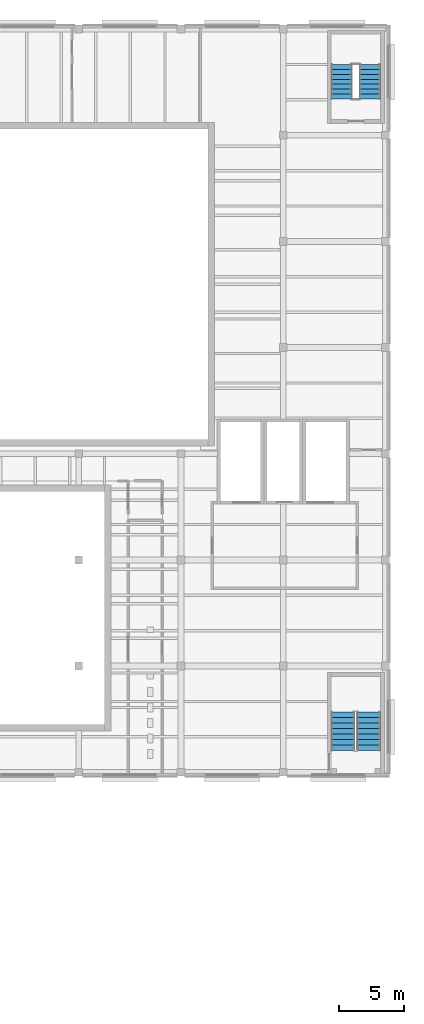
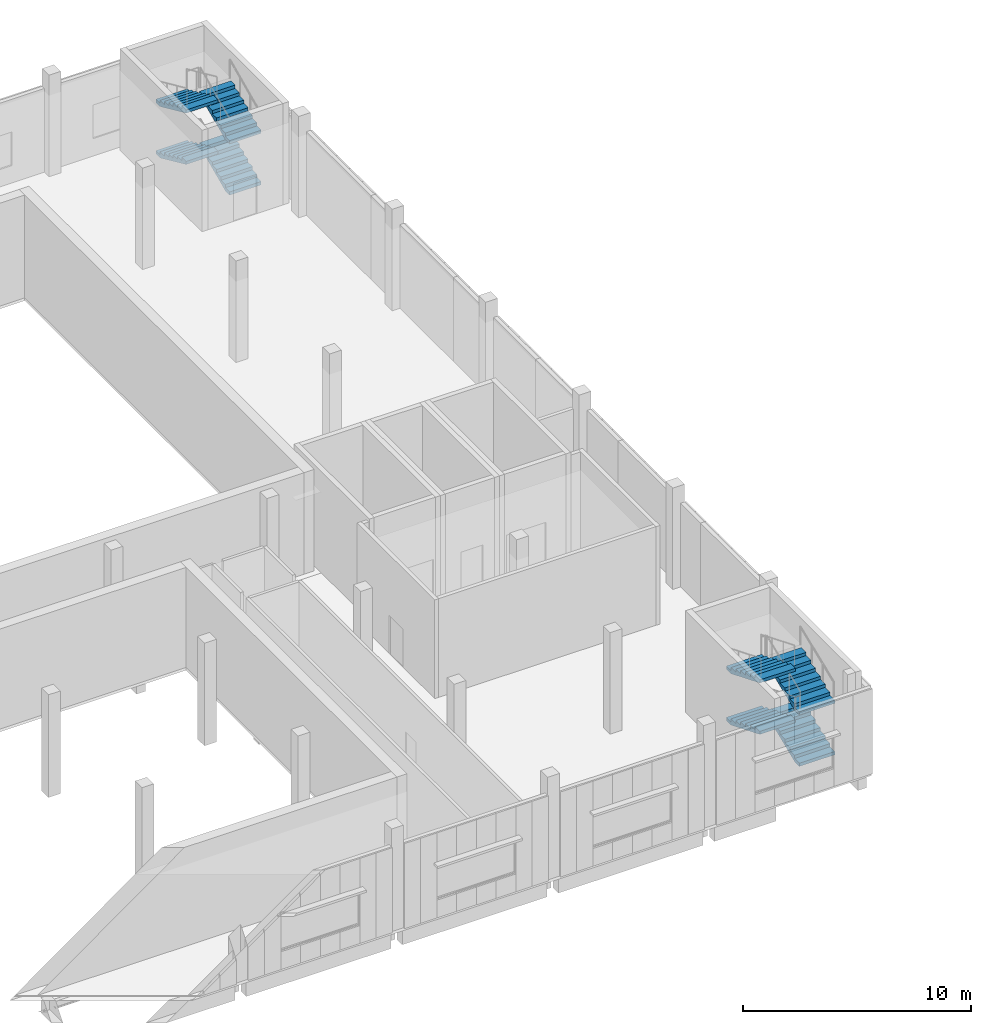
# One storey, part 68 of 112: 8 stair flights, 2 elements without a shape of their own.
"""IFC4 building model written with IfcOpenShell, lengths in metres."""

from ifc_helpers import new_model, si_unit, direction, frame, origin, place, context, subcontext, project, spatial, polyline, outline, extrude, material, type_object, element, aggregate, save


model = new_model("IFC4")

# Units and contexts
model_context = context("Model", 3, precision=1e-05, world=origin(), true_north=direction((0.0, 1.0)))
body_context = subcontext(model_context, "Body", "Model", "MODEL_VIEW")
ifc_project = project(units=[si_unit("LENGTHUNIT", "METRE"), si_unit("AREAUNIT", "SQUARE_METRE"), si_unit("VOLUMEUNIT", "CUBIC_METRE"), si_unit("PLANEANGLEUNIT", "RADIAN"), si_unit("MASSUNIT", "GRAM", prefix="KILO")], contexts=[model_context])

# Site, building, storey
site_placement = place(None, origin())
site = spatial("IfcSite", under=ifc_project, at=site_placement, CompositionType="ELEMENT")
building_placement = place(site_placement, origin())
building = spatial("IfcBuilding", under=site, at=building_placement, Name="Lunette Opera House", CompositionType="ELEMENT")
storey_placement = place(building_placement, frame((0.0, 0.0, 6.0)))
storey = spatial("IfcBuildingStorey", under=building, at=storey_placement, Name="L01", CompositionType="ELEMENT", Elevation=6.0)

# Stair, stair flights
ifc_material_1 = material(Name="Concrete C35/45", Category="concrete")
stair_type_1 = type_object("IfcStairType", Name="DOGLEG STAIR 1600", PredefinedType="HALF_TURN_STAIR", material=ifc_material_1)
stair_1_placement = place(storey_placement, origin())
stair_1 = element("IfcStair", 1, at=stair_1_placement, inside=storey, type_object=stair_type_1, Name="L01 stair ST19", PredefinedType="HALF_TURN_STAIR")
ifc_material_2 = material(Name="Concrete C35/45", Category="concrete")
stair_flight_type_1 = type_object("IfcStairFlightType", Name="STRAIGHT STAIR FLIGHT 1600", PredefinedType="STRAIGHT", material=ifc_material_2)
stair_flight_1_placement = place(storey_placement, frame((182.5, 130.300048828125, 0.0), z_axis=(0.0, 0.0, 1.0), x_axis=(0.0, 1.0, 0.0)))
stair_flight_1 = element("IfcStairFlight", 2, at=stair_flight_1_placement, type_object=stair_flight_type_1, Name="ST19 flight 1", NumberOfRisers=8, NumberOfTreads=7, PredefinedType="STRAIGHT", RiserHeight=0.171875, TreadLength=0.38, context=body_context, shape_type="SweptSolid", body=[
    extrude(outline(polyline([(0.0, 0.0), (0.0, 0.171875), (0.3798828125, 0.171875), (0.3798828125, 0.34375), (0.760009765625, 0.34375), (0.760009765625, 0.515625), (1.139892578125, 0.515625), (1.139892578125, 0.6875), (1.52001953125, 0.6875), (1.52001953125, 0.859375), (1.89990234375, 0.859375), (1.89990234375, 1.03125), (2.280029296875, 1.03125), (2.280029296875, 1.203125), (2.659912109375, 1.203125), (2.659912109375, 1.375), (2.659912109375, 1.03857421875), (0.36376953125, 0.0), (0.0, 0.0)])), frame((0.0, 0.800048828125, 0.0), z_axis=(0.0, -1.0, 0.0), x_axis=(1.0, 0.0, 0.0)), (0.0, 0.0, 1.0), 1.60009765625),
])
stair_flight_2_placement = place(storey_placement, frame((180.300048828125, 132.9599609375, 1.375), z_axis=(0.0, 0.0, 1.0), x_axis=(0.0, -1.0, 0.0)))
stair_flight_2 = element("IfcStairFlight", 3, at=stair_flight_2_placement, type_object=stair_flight_type_1, Name="ST19 flight 2", NumberOfRisers=8, NumberOfTreads=7, PredefinedType="STRAIGHT", RiserHeight=0.171875, TreadLength=0.38, context=body_context, shape_type="SweptSolid", body=[
    extrude(outline(polyline([(0.0, 0.0), (0.0, 0.171875), (0.3798828125, 0.171875), (0.3798828125, 0.34375), (0.760009765625, 0.34375), (0.760009765625, 0.515625), (1.139892578125, 0.515625), (1.139892578125, 0.6875), (1.52001953125, 0.6875), (1.52001953125, 0.859375), (1.89990234375, 0.859375), (1.89990234375, 1.03125), (2.280029296875, 1.03125), (2.280029296875, 1.203125), (2.659912109375, 1.203125), (2.659912109375, 1.375), (2.659912109375, 1.03857421875), (0.36376953125, 0.0), (0.0, 0.0)])), frame((0.0, 0.800048828125, 0.0), z_axis=(0.0, -1.0, 0.0), x_axis=(1.0, 0.0, 0.0)), (0.0, 0.0, 1.0), 1.60009765625),
])
stair_flight_3_placement = place(storey_placement, frame((182.5, 130.300048828125, 2.75), z_axis=(0.0, 0.0, 1.0), x_axis=(0.0, 1.0, 0.0)))
stair_flight_3 = element("IfcStairFlight", 4, at=stair_flight_3_placement, type_object=stair_flight_type_1, Name="ST19 flight 3", NumberOfRisers=8, NumberOfTreads=7, PredefinedType="STRAIGHT", RiserHeight=0.171875, TreadLength=0.38, context=body_context, shape_type="SweptSolid", body=[
    extrude(outline(polyline([(0.0, 0.0), (0.0, 0.171875), (0.3798828125, 0.171875), (0.3798828125, 0.34375), (0.760009765625, 0.34375), (0.760009765625, 0.515625), (1.139892578125, 0.515625), (1.139892578125, 0.6875), (1.52001953125, 0.6875), (1.52001953125, 0.859375), (1.89990234375, 0.859375), (1.89990234375, 1.03125), (2.280029296875, 1.03125), (2.280029296875, 1.203125), (2.659912109375, 1.203125), (2.659912109375, 1.375), (2.659912109375, 1.03857421875), (0.36376953125, 0.0), (0.0, 0.0)])), frame((0.0, 0.800048828125, 0.0), z_axis=(0.0, -1.0, 0.0), x_axis=(1.0, 0.0, 0.0)), (0.0, 0.0, 1.0), 1.60009765625),
])
stair_flight_4_placement = place(storey_placement, frame((180.300048828125, 132.9599609375, 4.125), z_axis=(0.0, 0.0, 1.0), x_axis=(0.0, -1.0, 0.0)))
stair_flight_4 = element("IfcStairFlight", 5, at=stair_flight_4_placement, type_object=stair_flight_type_1, Name="ST19 flight 4", NumberOfRisers=8, NumberOfTreads=7, PredefinedType="STRAIGHT", RiserHeight=0.171875, TreadLength=0.38, context=body_context, shape_type="SweptSolid", body=[
    extrude(outline(polyline([(0.0, 0.0), (0.0, 0.171875), (0.3798828125, 0.171875), (0.3798828125, 0.34375), (0.760009765625, 0.34375), (0.760009765625, 0.515625), (1.139892578125, 0.515625), (1.139892578125, 0.6875), (1.52001953125, 0.6875), (1.52001953125, 0.859375), (1.89990234375, 0.859375), (1.89990234375, 1.03125), (2.280029296875, 1.03125), (2.280029296875, 1.203125), (2.659912109375, 1.203125), (2.659912109375, 1.375), (2.659912109375, 1.03857421875), (0.36376953125, 0.0), (0.0, 0.0)])), frame((0.0, 0.800048828125, 0.0), z_axis=(0.0, -1.0, 0.0), x_axis=(1.0, 0.0, 0.0)), (0.0, 0.0, 1.0), 1.60009765625),
])
aggregate(stair_1, [stair_flight_1, stair_flight_2, stair_flight_3, stair_flight_4])

ifc_material_3 = material(Name="Concrete C35/45", Category="concrete")
stair_type_2 = type_object("IfcStairType", Name="DOGLEG STAIR 1800", PredefinedType="HALF_TURN_STAIR", material=ifc_material_3)
stair_2_placement = place(storey_placement, origin())
stair_2 = element("IfcStair", 6, at=stair_2_placement, inside=storey, type_object=stair_type_2, Name="L01 stair ST20", PredefinedType="HALF_TURN_STAIR")
ifc_material_4 = material(Name="Concrete C35/45", Category="concrete")
stair_flight_type_2 = type_object("IfcStairFlightType", Name="STRAIGHT STAIR FLIGHT 1800", PredefinedType="STRAIGHT", material=ifc_material_4)
stair_flight_5_placement = place(storey_placement, frame((182.39990234375, 80.0, 0.0), z_axis=(0.0, 0.0, 1.0), x_axis=(0.0, 1.0, 0.0)))
stair_flight_5 = element("IfcStairFlight", 7, at=stair_flight_5_placement, type_object=stair_flight_type_2, Name="ST20 flight 1", NumberOfRisers=8, NumberOfTreads=7, PredefinedType="STRAIGHT", RiserHeight=0.171875, TreadLength=0.42, context=body_context, shape_type="SweptSolid", body=[
    extrude(outline(polyline([(0.0, 0.0), (0.0, 0.171875), (0.419921875, 0.171875), (0.419921875, 0.34375), (0.840087890625, 0.34375), (0.840087890625, 0.515625), (1.260009765625, 0.515625), (1.260009765625, 0.6875), (1.679931640625, 0.6875), (1.679931640625, 0.859375), (2.10009765625, 0.859375), (2.10009765625, 1.03125), (2.52001953125, 1.03125), (2.52001953125, 1.203125), (2.93994140625, 1.203125), (2.93994140625, 1.375), (2.93994140625, 1.041259765625), (0.395751953125, 0.0), (0.0, 0.0)])), frame((0.0, 0.89990234375, 0.0), z_axis=(0.0, -1.0, 0.0), x_axis=(1.0, 0.0, 0.0)), (0.0, 0.0, 1.0), 1.800048828125),
])
stair_flight_6_placement = place(storey_placement, frame((180.39990234375, 82.93994140625, 1.375), z_axis=(0.0, 0.0, 1.0), x_axis=(0.0, -1.0, 0.0)))
stair_flight_6 = element("IfcStairFlight", 8, at=stair_flight_6_placement, type_object=stair_flight_type_2, Name="ST20 flight 2", NumberOfRisers=8, NumberOfTreads=7, PredefinedType="STRAIGHT", RiserHeight=0.171875, TreadLength=0.42, context=body_context, shape_type="SweptSolid", body=[
    extrude(outline(polyline([(0.0, 0.0), (0.0, 0.171875), (0.419921875, 0.171875), (0.419921875, 0.34375), (0.840087890625, 0.34375), (0.840087890625, 0.515625), (1.260009765625, 0.515625), (1.260009765625, 0.6875), (1.679931640625, 0.6875), (1.679931640625, 0.859375), (2.10009765625, 0.859375), (2.10009765625, 1.03125), (2.52001953125, 1.03125), (2.52001953125, 1.203125), (2.93994140625, 1.203125), (2.93994140625, 1.375), (2.93994140625, 1.041259765625), (0.395751953125, 0.0), (0.0, 0.0)])), frame((0.0, 0.89990234375, 0.0), z_axis=(0.0, -1.0, 0.0), x_axis=(1.0, 0.0, 0.0)), (0.0, 0.0, 1.0), 1.800048828125),
])
stair_flight_7_placement = place(storey_placement, frame((182.39990234375, 80.0, 2.75), z_axis=(0.0, 0.0, 1.0), x_axis=(0.0, 1.0, 0.0)))
stair_flight_7 = element("IfcStairFlight", 9, at=stair_flight_7_placement, type_object=stair_flight_type_2, Name="ST20 flight 3", NumberOfRisers=8, NumberOfTreads=7, PredefinedType="STRAIGHT", RiserHeight=0.171875, TreadLength=0.42, context=body_context, shape_type="SweptSolid", body=[
    extrude(outline(polyline([(0.0, 0.0), (0.0, 0.171875), (0.419921875, 0.171875), (0.419921875, 0.34375), (0.840087890625, 0.34375), (0.840087890625, 0.515625), (1.260009765625, 0.515625), (1.260009765625, 0.6875), (1.679931640625, 0.6875), (1.679931640625, 0.859375), (2.10009765625, 0.859375), (2.10009765625, 1.03125), (2.52001953125, 1.03125), (2.52001953125, 1.203125), (2.93994140625, 1.203125), (2.93994140625, 1.375), (2.93994140625, 1.041259765625), (0.395751953125, 0.0), (0.0, 0.0)])), frame((0.0, 0.89990234375, 0.0), z_axis=(0.0, -1.0, 0.0), x_axis=(1.0, 0.0, 0.0)), (0.0, 0.0, 1.0), 1.800048828125),
])
stair_flight_8_placement = place(storey_placement, frame((180.39990234375, 82.93994140625, 4.125), z_axis=(0.0, 0.0, 1.0), x_axis=(0.0, -1.0, 0.0)))
stair_flight_8 = element("IfcStairFlight", 10, at=stair_flight_8_placement, type_object=stair_flight_type_2, Name="ST20 flight 4", NumberOfRisers=8, NumberOfTreads=7, PredefinedType="STRAIGHT", RiserHeight=0.171875, TreadLength=0.42, context=body_context, shape_type="SweptSolid", body=[
    extrude(outline(polyline([(0.0, 0.0), (0.0, 0.171875), (0.419921875, 0.171875), (0.419921875, 0.34375), (0.840087890625, 0.34375), (0.840087890625, 0.515625), (1.260009765625, 0.515625), (1.260009765625, 0.6875), (1.679931640625, 0.6875), (1.679931640625, 0.859375), (2.10009765625, 0.859375), (2.10009765625, 1.03125), (2.52001953125, 1.03125), (2.52001953125, 1.203125), (2.93994140625, 1.203125), (2.93994140625, 1.375), (2.93994140625, 1.041259765625), (0.395751953125, 0.0), (0.0, 0.0)])), frame((0.0, 0.89990234375, 0.0), z_axis=(0.0, -1.0, 0.0), x_axis=(1.0, 0.0, 0.0)), (0.0, 0.0, 1.0), 1.800048828125),
])
aggregate(stair_2, [stair_flight_5, stair_flight_6, stair_flight_7, stair_flight_8])

save(model, "model.ifc")
